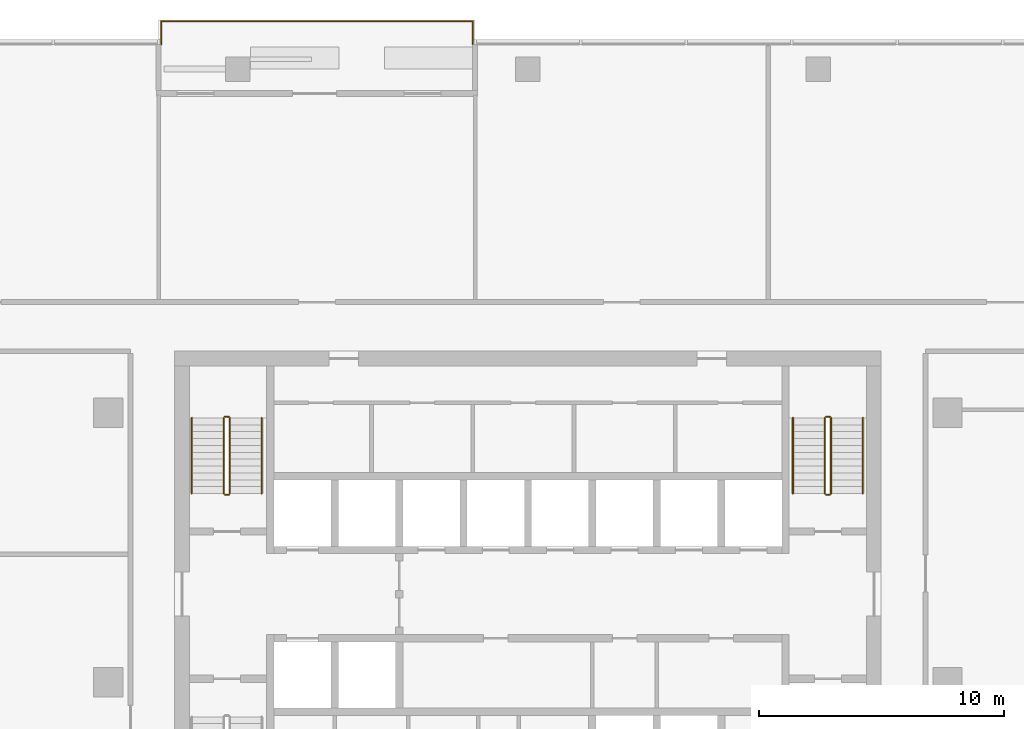
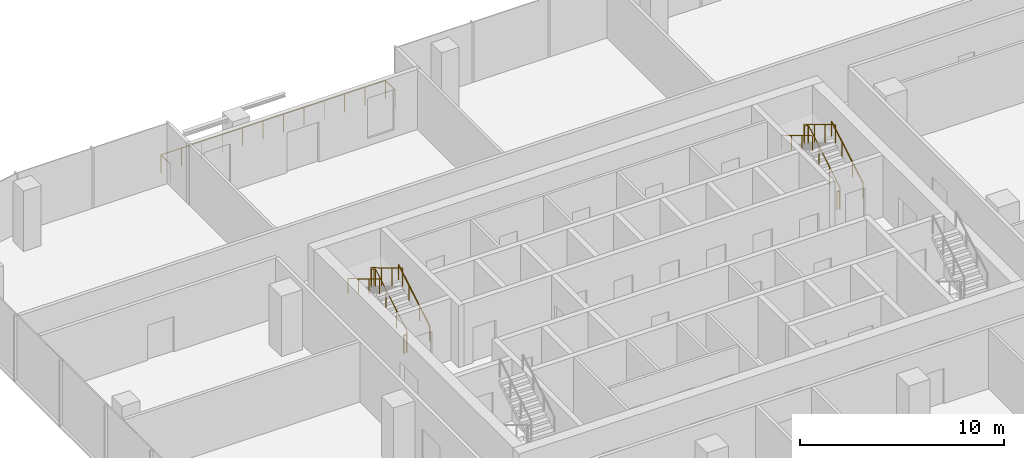
# One storey, part 13 of 13: 11 railings.
"""IFC4 building model written with IfcOpenShell, lengths in metres."""

from ifc_helpers import new_model, si_unit, direction, frame, origin, origin_2d, place, context, subcontext, project, spatial, circle, extrude, material, type_object, element, save


model = new_model("IFC4")

# Units and contexts
model_context = context("Model", 3, precision=1e-05, world=origin(), true_north=direction((0.0, 1.0)))
body_context = subcontext(model_context, "Body", "Model", "MODEL_VIEW")
ifc_project = project(units=[si_unit("LENGTHUNIT", "METRE"), si_unit("AREAUNIT", "SQUARE_METRE"), si_unit("VOLUMEUNIT", "CUBIC_METRE"), si_unit("PLANEANGLEUNIT", "RADIAN"), si_unit("MASSUNIT", "GRAM", prefix="KILO")], contexts=[model_context])

# Site, building, storey
site_placement = place(None, origin())
site = spatial("IfcSite", under=ifc_project, at=site_placement, CompositionType="ELEMENT")
building_placement = place(site_placement, origin())
building = spatial("IfcBuilding", under=site, at=building_placement, Name="Mopane Tessera Tower", CompositionType="ELEMENT")
storey_placement = place(building_placement, frame((0.0, 0.0, 299.39990234375)))
storey = spatial("IfcBuildingStorey", under=building, at=storey_placement, Name="L65", CompositionType="ELEMENT", Elevation=299.39990234375)

# Railings
ifc_material_1 = material(Name="Powder-coated steel balustrade", Category="steel")
railing_type_1 = type_object("IfcRailingType", Name="Escape stair guard 1100 mm", PredefinedType="GUARDRAIL", material=ifc_material_1)
railing_1_placement = place(storey_placement, frame((-12.14990234375, 7.699951171875, 0.166748046875)))
element("IfcRailing", 1, at=railing_1_placement, inside=storey, type_object=railing_type_1, Name="L65 ST2 stair guard 1", PredefinedType="GUARDRAIL", context=body_context, shape_type="SweptSolid", body=[
    extrude(circle(Radius=0.02392578125, at=origin_2d()), frame((0.0, 0.0, 1.076171875), z_axis=(0.0, 0.859308565015, 0.511457515432), x_axis=(-1.0, 0.0, 0.0)), (0.0, 0.0, 1.0), 3.58447265625),
    extrude(circle(Radius=0.02392578125, at=origin_2d()), frame((0.0, 3.080078125, 2.9091796875), z_axis=(-0.707106781187, 0.707106781187, 0.0), x_axis=(-0.707106781187, -0.707106781187, 0.0)), (0.0, 0.0, 1.0), 0.07080078125),
    extrude(circle(Radius=0.02392578125, at=origin_2d()), frame((-0.050048828125, 3.130126953125, 2.9091796875), z_axis=(-1.0, 0.0, 0.0), x_axis=(0.0, -1.0, 0.0)), (0.0, 0.0, 1.0), 0.150146484375),
    extrude(circle(Radius=0.02099609375, at=origin_2d()), origin(), (0.0, 0.0, 1.0), 1.052001953125),
    extrude(circle(Radius=0.02099609375, at=origin_2d()), frame((0.0, 1.026611328125, 0.611083984375)), (0.0, 0.0, 1.0), 1.052001953125),
    extrude(circle(Radius=0.02099609375, at=origin_2d()), frame((0.0, 2.053466796875, 1.22216796875)), (0.0, 0.0, 1.0), 1.052001953125),
    extrude(circle(Radius=0.02099609375, at=origin_2d()), frame((0.0, 3.080078125, 1.833251953125)), (0.0, 0.0, 1.0), 1.052001953125),
    extrude(circle(Radius=0.02099609375, at=origin_2d()), frame((-0.050048828125, 3.130126953125, 1.833251953125)), (0.0, 0.0, 1.0), 1.052001953125),
    extrude(circle(Radius=0.02099609375, at=origin_2d()), frame((-0.2001953125, 3.130126953125, 1.833251953125)), (0.0, 0.0, 1.0), 1.052001953125),
])
railing_2_placement = place(storey_placement, frame((-12.39990234375, 10.780029296875, 2.166748046875)))
element("IfcRailing", 2, at=railing_2_placement, inside=storey, type_object=railing_type_1, Name="L65 ST2 stair guard 2", PredefinedType="GUARDRAIL", context=body_context, shape_type="SweptSolid", body=[
    extrude(circle(Radius=0.02392578125, at=origin_2d()), frame((0.0, 0.0, 1.076171875), z_axis=(0.0, -0.859308565015, 0.511457515432), x_axis=(1.0, 0.0, 0.0)), (0.0, 0.0, 1.0), 3.58447265625),
    extrude(circle(Radius=0.02099609375, at=origin_2d()), origin(), (0.0, 0.0, 1.0), 1.052001953125),
    extrude(circle(Radius=0.02099609375, at=origin_2d()), frame((0.0, -1.026611328125, 0.611083984375)), (0.0, 0.0, 1.0), 1.052001953125),
    extrude(circle(Radius=0.02099609375, at=origin_2d()), frame((0.0, -2.053466796875, 1.22216796875)), (0.0, 0.0, 1.0), 1.052001953125),
    extrude(circle(Radius=0.02099609375, at=origin_2d()), frame((0.0, -3.080078125, 1.833251953125)), (0.0, 0.0, 1.0), 1.052001953125),
])
railing_3_placement = place(storey_placement, frame((-12.199951171875, 7.64990234375, 0.0)))
element("IfcRailing", 3, at=railing_3_placement, inside=storey, type_object=railing_type_1, Name="L65 ST2 stair guard 3", PredefinedType="GUARDRAIL", context=body_context, shape_type="SweptSolid", body=[
    extrude(circle(Radius=0.02392578125, at=origin_2d()), frame((0.0, 0.0, 1.076171875), z_axis=(-1.0, 0.0, 0.0), x_axis=(0.0, -1.0, 0.0)), (0.0, 0.0, 1.0), 0.150146484375),
    extrude(circle(Radius=0.02099609375, at=origin_2d()), origin(), (0.0, 0.0, 1.0), 1.052001953125),
    extrude(circle(Radius=0.02099609375, at=origin_2d()), frame((-0.150146484375, 0.0, 0.0)), (0.0, 0.0, 1.0), 1.052001953125),
])
railing_4_placement = place(storey_placement, frame((12.35009765625, 7.699951171875, 0.166748046875)))
element("IfcRailing", 4, at=railing_4_placement, inside=storey, type_object=railing_type_1, Name="L65 ST4 stair guard 1", PredefinedType="GUARDRAIL", context=body_context, shape_type="SweptSolid", body=[
    extrude(circle(Radius=0.02392578125, at=origin_2d()), frame((0.0, 0.0, 1.076171875), z_axis=(0.0, 0.859308565015, 0.511457515432), x_axis=(-1.0, 0.0, 0.0)), (0.0, 0.0, 1.0), 3.58447265625),
    extrude(circle(Radius=0.02392578125, at=origin_2d()), frame((0.0, 3.080078125, 2.9091796875), z_axis=(-0.707106781187, 0.707106781187, 0.0), x_axis=(-0.707106781187, -0.707106781187, 0.0)), (0.0, 0.0, 1.0), 0.07080078125),
    extrude(circle(Radius=0.02392578125, at=origin_2d()), frame((-0.050048828125, 3.130126953125, 2.9091796875), z_axis=(-1.0, 0.0, 0.0), x_axis=(0.0, -1.0, 0.0)), (0.0, 0.0, 1.0), 0.150146484375),
    extrude(circle(Radius=0.02099609375, at=origin_2d()), origin(), (0.0, 0.0, 1.0), 1.052001953125),
    extrude(circle(Radius=0.02099609375, at=origin_2d()), frame((0.0, 1.026611328125, 0.611083984375)), (0.0, 0.0, 1.0), 1.052001953125),
    extrude(circle(Radius=0.02099609375, at=origin_2d()), frame((0.0, 2.053466796875, 1.22216796875)), (0.0, 0.0, 1.0), 1.052001953125),
    extrude(circle(Radius=0.02099609375, at=origin_2d()), frame((0.0, 3.080078125, 1.833251953125)), (0.0, 0.0, 1.0), 1.052001953125),
    extrude(circle(Radius=0.02099609375, at=origin_2d()), frame((-0.050048828125, 3.130126953125, 1.833251953125)), (0.0, 0.0, 1.0), 1.052001953125),
    extrude(circle(Radius=0.02099609375, at=origin_2d()), frame((-0.2001953125, 3.130126953125, 1.833251953125)), (0.0, 0.0, 1.0), 1.052001953125),
])
railing_5_placement = place(storey_placement, frame((12.10009765625, 10.780029296875, 2.166748046875)))
element("IfcRailing", 5, at=railing_5_placement, inside=storey, type_object=railing_type_1, Name="L65 ST4 stair guard 2", PredefinedType="GUARDRAIL", context=body_context, shape_type="SweptSolid", body=[
    extrude(circle(Radius=0.02392578125, at=origin_2d()), frame((0.0, 0.0, 1.076171875), z_axis=(0.0, -0.859308565015, 0.511457515432), x_axis=(1.0, 0.0, 0.0)), (0.0, 0.0, 1.0), 3.58447265625),
    extrude(circle(Radius=0.02099609375, at=origin_2d()), origin(), (0.0, 0.0, 1.0), 1.052001953125),
    extrude(circle(Radius=0.02099609375, at=origin_2d()), frame((0.0, -1.026611328125, 0.611083984375)), (0.0, 0.0, 1.0), 1.052001953125),
    extrude(circle(Radius=0.02099609375, at=origin_2d()), frame((0.0, -2.053466796875, 1.22216796875)), (0.0, 0.0, 1.0), 1.052001953125),
    extrude(circle(Radius=0.02099609375, at=origin_2d()), frame((0.0, -3.080078125, 1.833251953125)), (0.0, 0.0, 1.0), 1.052001953125),
])
railing_6_placement = place(storey_placement, frame((12.300048828125, 7.64990234375, 0.0)))
element("IfcRailing", 6, at=railing_6_placement, inside=storey, type_object=railing_type_1, Name="L65 ST4 stair guard 3", PredefinedType="GUARDRAIL", context=body_context, shape_type="SweptSolid", body=[
    extrude(circle(Radius=0.02392578125, at=origin_2d()), frame((0.0, 0.0, 1.076171875), z_axis=(-1.0, 0.0, 0.0), x_axis=(0.0, -1.0, 0.0)), (0.0, 0.0, 1.0), 0.150146484375),
    extrude(circle(Radius=0.02099609375, at=origin_2d()), origin(), (0.0, 0.0, 1.0), 1.052001953125),
    extrude(circle(Radius=0.02099609375, at=origin_2d()), frame((-0.150146484375, 0.0, 0.0)), (0.0, 0.0, 1.0), 1.052001953125),
])
ifc_material_2 = material(Name="Powder-coated steel balustrade", Category="steel")
railing_type_2 = type_object("IfcRailingType", Name="Escape stair handrail 900 mm", PredefinedType="HANDRAIL", material=ifc_material_2)
railing_7_placement = place(storey_placement, frame((-10.85009765625, 7.699951171875, 0.166748046875)))
element("IfcRailing", 7, at=railing_7_placement, inside=storey, type_object=railing_type_2, Name="L65 ST2 stair handrail 1", PredefinedType="HANDRAIL", context=body_context, shape_type="SweptSolid", body=[
    extrude(circle(Radius=0.02392578125, at=origin_2d()), frame((0.0, 0.0, 0.8759765625), z_axis=(0.0, 0.859308565015, 0.511457515432), x_axis=(-1.0, 0.0, 0.0)), (0.0, 0.0, 1.0), 3.58447265625),
    extrude(circle(Radius=0.02099609375, at=origin_2d()), origin(), (0.0, 0.0, 1.0), 0.851806640625),
    extrude(circle(Radius=0.02099609375, at=origin_2d()), frame((0.0, 1.026611328125, 0.611083984375)), (0.0, 0.0, 1.0), 0.851806640625),
    extrude(circle(Radius=0.02099609375, at=origin_2d()), frame((0.0, 2.053466796875, 1.22216796875)), (0.0, 0.0, 1.0), 0.851806640625),
    extrude(circle(Radius=0.02099609375, at=origin_2d()), frame((0.0, 3.080078125, 1.833251953125)), (0.0, 0.0, 1.0), 0.851806640625),
])
railing_8_placement = place(storey_placement, frame((-13.699951171875, 10.780029296875, 2.166748046875)))
element("IfcRailing", 8, at=railing_8_placement, inside=storey, type_object=railing_type_2, Name="L65 ST2 stair handrail 2", PredefinedType="HANDRAIL", context=body_context, shape_type="SweptSolid", body=[
    extrude(circle(Radius=0.02392578125, at=origin_2d()), frame((0.0, 0.0, 0.8759765625), z_axis=(0.0, -0.859308565015, 0.511457515432), x_axis=(1.0, 0.0, 0.0)), (0.0, 0.0, 1.0), 3.58447265625),
    extrude(circle(Radius=0.02099609375, at=origin_2d()), origin(), (0.0, 0.0, 1.0), 0.851806640625),
    extrude(circle(Radius=0.02099609375, at=origin_2d()), frame((0.0, -1.026611328125, 0.611083984375)), (0.0, 0.0, 1.0), 0.851806640625),
    extrude(circle(Radius=0.02099609375, at=origin_2d()), frame((0.0, -2.053466796875, 1.22216796875)), (0.0, 0.0, 1.0), 0.851806640625),
    extrude(circle(Radius=0.02099609375, at=origin_2d()), frame((0.0, -3.080078125, 1.833251953125)), (0.0, 0.0, 1.0), 0.851806640625),
])
railing_9_placement = place(storey_placement, frame((13.64990234375, 7.699951171875, 0.166748046875)))
element("IfcRailing", 9, at=railing_9_placement, inside=storey, type_object=railing_type_2, Name="L65 ST4 stair handrail 1", PredefinedType="HANDRAIL", context=body_context, shape_type="SweptSolid", body=[
    extrude(circle(Radius=0.02392578125, at=origin_2d()), frame((0.0, 0.0, 0.8759765625), z_axis=(0.0, 0.859308565015, 0.511457515432), x_axis=(-1.0, 0.0, 0.0)), (0.0, 0.0, 1.0), 3.58447265625),
    extrude(circle(Radius=0.02099609375, at=origin_2d()), origin(), (0.0, 0.0, 1.0), 0.851806640625),
    extrude(circle(Radius=0.02099609375, at=origin_2d()), frame((0.0, 1.026611328125, 0.611083984375)), (0.0, 0.0, 1.0), 0.851806640625),
    extrude(circle(Radius=0.02099609375, at=origin_2d()), frame((0.0, 2.053466796875, 1.22216796875)), (0.0, 0.0, 1.0), 0.851806640625),
    extrude(circle(Radius=0.02099609375, at=origin_2d()), frame((0.0, 3.080078125, 1.833251953125)), (0.0, 0.0, 1.0), 0.851806640625),
])
railing_10_placement = place(storey_placement, frame((10.800048828125, 10.780029296875, 2.166748046875)))
element("IfcRailing", 10, at=railing_10_placement, inside=storey, type_object=railing_type_2, Name="L65 ST4 stair handrail 2", PredefinedType="HANDRAIL", context=body_context, shape_type="SweptSolid", body=[
    extrude(circle(Radius=0.02392578125, at=origin_2d()), frame((0.0, 0.0, 0.8759765625), z_axis=(0.0, -0.859308565015, 0.511457515432), x_axis=(1.0, 0.0, 0.0)), (0.0, 0.0, 1.0), 3.58447265625),
    extrude(circle(Radius=0.02099609375, at=origin_2d()), origin(), (0.0, 0.0, 1.0), 0.851806640625),
    extrude(circle(Radius=0.02099609375, at=origin_2d()), frame((0.0, -1.026611328125, 0.611083984375)), (0.0, 0.0, 1.0), 0.851806640625),
    extrude(circle(Radius=0.02099609375, at=origin_2d()), frame((0.0, -2.053466796875, 1.22216796875)), (0.0, 0.0, 1.0), 0.851806640625),
    extrude(circle(Radius=0.02099609375, at=origin_2d()), frame((0.0, -3.080078125, 1.833251953125)), (0.0, 0.0, 1.0), 0.851806640625),
])
ifc_material_3 = material(Name="Stainless steel S316", Category="steel")
railing_type_3 = type_object("IfcRailingType", Name="Terrace guard 1100", PredefinedType="GUARDRAIL", material=ifc_material_3)
railing_11_placement = place(storey_placement, frame((-2.25, 26.0, 0.0)))
element("IfcRailing", 11, at=railing_11_placement, inside=storey, type_object=railing_type_3, Name="e:nw:L65:N2:guard", PredefinedType="GUARDRAIL", context=body_context, shape_type="SweptSolid", body=[
    extrude(circle(Radius=0.02392578125, at=origin_2d()), frame((0.0, 0.0, 1.076171875), z_axis=(0.0, 1.0, 0.0), x_axis=(-1.0, 0.0, 0.0)), (0.0, 0.0, 1.0), 0.949951171875),
    extrude(circle(Radius=0.02392578125, at=origin_2d()), frame((0.0, 0.949951171875, 1.076171875), z_axis=(-1.0, 0.0, 0.0), x_axis=(0.0, -1.0, 0.0)), (0.0, 0.0, 1.0), 12.699951171875),
    extrude(circle(Radius=0.02392578125, at=origin_2d()), frame((-12.699951171875, 0.949951171875, 1.076171875), z_axis=(0.0, -1.0, 0.0), x_axis=(1.0, 0.0, 0.0)), (0.0, 0.0, 1.0), 0.949951171875),
    extrude(circle(Radius=0.02099609375, at=origin_2d()), origin(), (0.0, 0.0, 1.0), 1.052001953125),
    extrude(circle(Radius=0.02099609375, at=origin_2d()), frame((0.0, 0.949951171875, 0.0)), (0.0, 0.0, 1.0), 1.052001953125),
    extrude(circle(Radius=0.02099609375, at=origin_2d()), frame((-1.154541015625, 0.949951171875, 0.0)), (0.0, 0.0, 1.0), 1.052001953125),
    extrude(circle(Radius=0.02099609375, at=origin_2d()), frame((-2.30908203125, 0.949951171875, 0.0)), (0.0, 0.0, 1.0), 1.052001953125),
    extrude(circle(Radius=0.02099609375, at=origin_2d()), frame((-3.463623046875, 0.949951171875, 0.0)), (0.0, 0.0, 1.0), 1.052001953125),
    extrude(circle(Radius=0.02099609375, at=origin_2d()), frame((-4.6181640625, 0.949951171875, 0.0)), (0.0, 0.0, 1.0), 1.052001953125),
    extrude(circle(Radius=0.02099609375, at=origin_2d()), frame((-5.772705078125, 0.949951171875, 0.0)), (0.0, 0.0, 1.0), 1.052001953125),
    extrude(circle(Radius=0.02099609375, at=origin_2d()), frame((-6.92724609375, 0.949951171875, 0.0)), (0.0, 0.0, 1.0), 1.052001953125),
    extrude(circle(Radius=0.02099609375, at=origin_2d()), frame((-8.081787109375, 0.949951171875, 0.0)), (0.0, 0.0, 1.0), 1.052001953125),
    extrude(circle(Radius=0.02099609375, at=origin_2d()), frame((-9.236328125, 0.949951171875, 0.0)), (0.0, 0.0, 1.0), 1.052001953125),
    extrude(circle(Radius=0.02099609375, at=origin_2d()), frame((-10.390869140625, 0.949951171875, 0.0)), (0.0, 0.0, 1.0), 1.052001953125),
    extrude(circle(Radius=0.02099609375, at=origin_2d()), frame((-11.54541015625, 0.949951171875, 0.0)), (0.0, 0.0, 1.0), 1.052001953125),
    extrude(circle(Radius=0.02099609375, at=origin_2d()), frame((-12.699951171875, 0.949951171875, 0.0)), (0.0, 0.0, 1.0), 1.052001953125),
    extrude(circle(Radius=0.02099609375, at=origin_2d()), frame((-12.699951171875, 0.0, 0.0)), (0.0, 0.0, 1.0), 1.052001953125),
])

save(model, "model.ifc")
